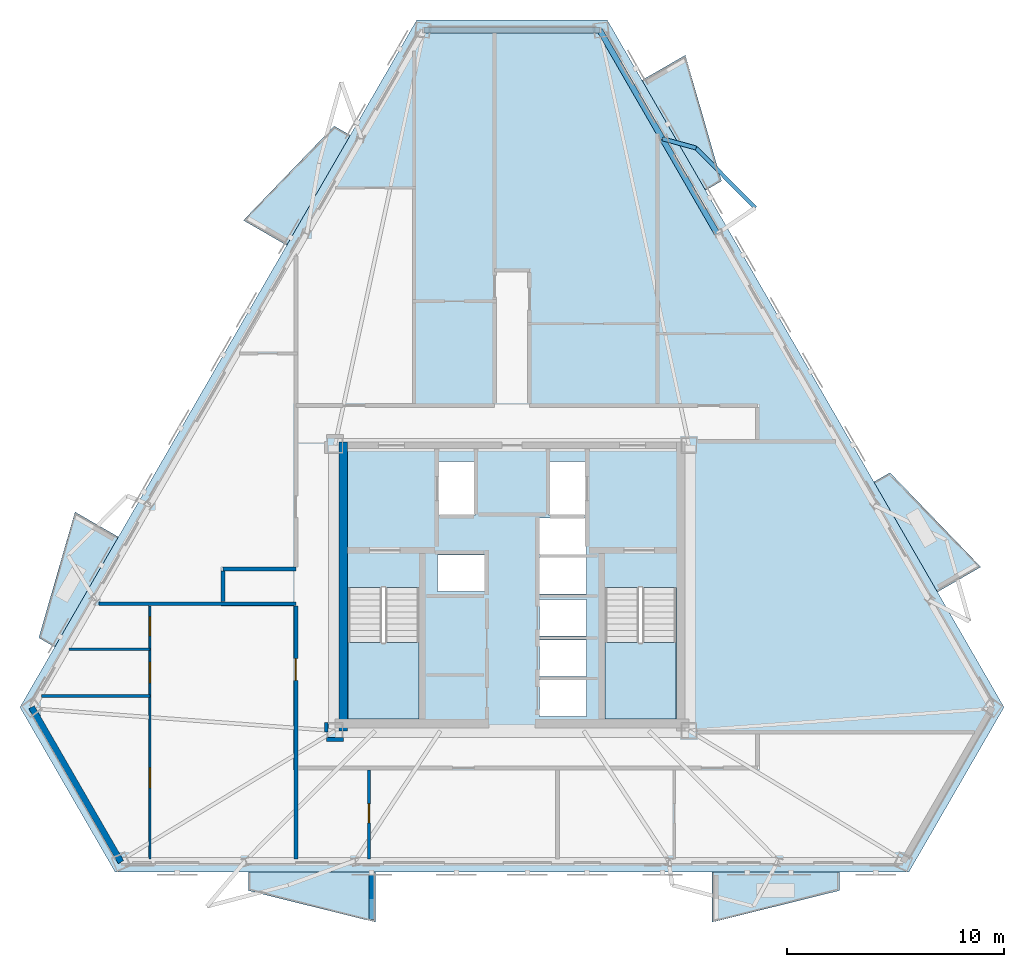
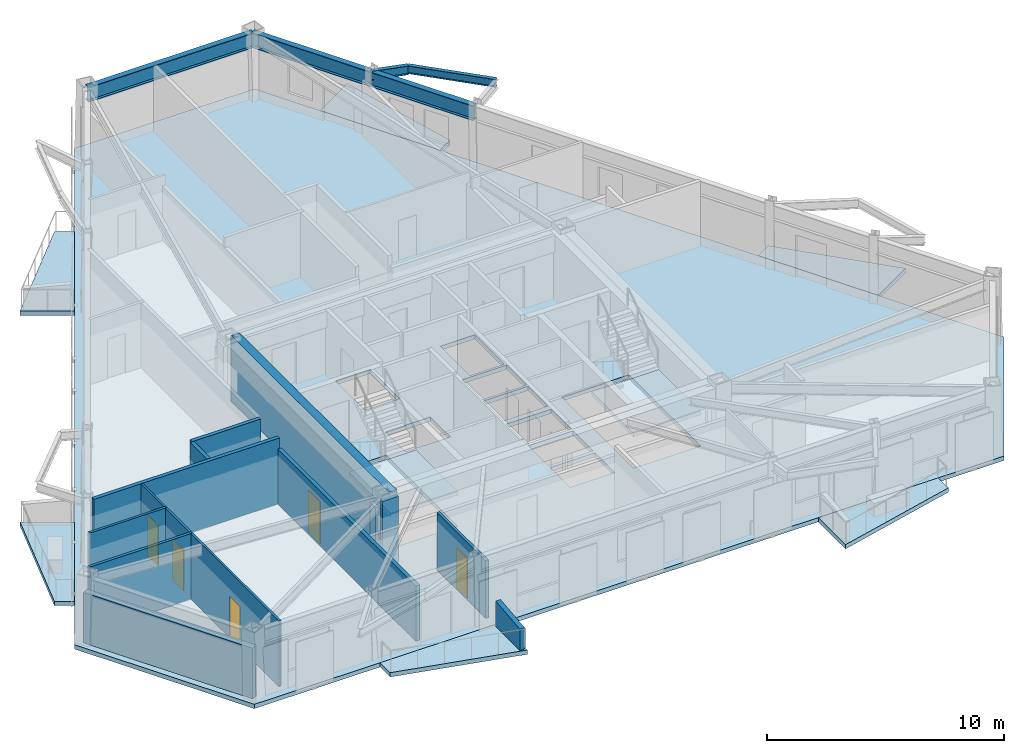
# One storey, part 2 of 9: 13 walls, 9 slabs, 5 beams, 5 doors, 5 openings, 2 elements without a shape of their own.
"""IFC4 building model written with IfcOpenShell, lengths in metres."""

from ifc_helpers import new_model, si_unit, direction, frame, frame_2d, origin, origin_2d, place, context, subcontext, project, spatial, polyline, rectangle, i_section, outline, extrude, material, layer, layer_set, material_profile, profile_set, type_object, element, fill, aggregate, save


model = new_model("IFC4")

# Units and contexts
model_context = context("Model", 3, precision=1e-05, world=origin(), true_north=direction((0.0, 1.0)))
body_context = subcontext(model_context, "Body", "Model", "MODEL_VIEW")
ifc_project = project(units=[si_unit("LENGTHUNIT", "METRE"), si_unit("AREAUNIT", "SQUARE_METRE"), si_unit("VOLUMEUNIT", "CUBIC_METRE"), si_unit("PLANEANGLEUNIT", "RADIAN"), si_unit("MASSUNIT", "GRAM", prefix="KILO")], contexts=[model_context])

# Site, building, storey
site_placement = place(None, origin())
site = spatial("IfcSite", under=ifc_project, at=site_placement, CompositionType="ELEMENT")
building_placement = place(site_placement, origin())
building = spatial("IfcBuilding", under=site, at=building_placement, Name="Oramaril Tower", CompositionType="ELEMENT")
storey_placement = place(building_placement, frame((0.0, 0.0, 178.199951171875)))
storey = spatial("IfcBuildingStorey", under=building, at=storey_placement, Name="L47", CompositionType="ELEMENT", Elevation=178.199951171875)

# Beams
ifc_material_1 = material(Name="Steel ASTM A572 Gr 50", Category="steel")
ifc_material_profile_1 = material_profile(ifc_material_1, i_section(OverallWidth=0.19091796875, OverallDepth=0.45703125, WebThickness=0.009033203125, FlangeThickness=0.014404296875, at=origin_2d()), Name="W18X50")
ifc_profile_set_1 = profile_set([ifc_material_profile_1], Name="Steel ASTM A572 Gr 50")
beam_type_1 = type_object("IfcBeamType", Name="BT-BB1", PredefinedType="BEAM", material=ifc_profile_set_1)
beam_1_placement = place(storey_placement, frame((44.4228515625, 38.25146484375, 3.151611328125), z_axis=(0.964112083488, -0.265495556408, 0.0), x_axis=(0.265495556408, 0.964112083488, 0.0)))
element("IfcBeam", 1, at=beam_1_placement, inside=storey, type_object=beam_type_1, Name="L47 Balcony Column-Framed Cantilever 04.2", PredefinedType="BEAM", context=body_context, shape_type="SweptSolid", body=[
    extrude(i_section(OverallWidth=0.19091796875, OverallDepth=0.45703125, WebThickness=0.009033203125, FlangeThickness=0.014404296875, at=origin_2d()), origin(), (0.0, 0.0, 1.0), 1.6064453125),
])
ifc_material_2 = material(Name="Steel ASTM A572 Gr 50", Category="steel")
ifc_material_profile_2 = material_profile(ifc_material_2, i_section(OverallWidth=0.177978515625, OverallDepth=0.404052734375, WebThickness=0.007568359375, FlangeThickness=0.010986328125, at=origin_2d()), Name="W16X36")
ifc_profile_set_2 = profile_set([ifc_material_profile_2], Name="Steel ASTM A572 Gr 50")
beam_type_2 = type_object("IfcBeamType", Name="BT-SB1", PredefinedType="BEAM", material=ifc_profile_set_2)
beam_2_placement = place(storey_placement, frame((48.6923828125, 35.072509765625, 3.177978515625), z_axis=(-0.702994511648, 0.71119527318, 0.0), x_axis=(-0.71119527318, -0.702994511648, 0.0)))
element("IfcBeam", 2, at=beam_2_placement, inside=storey, type_object=beam_type_2, Name="L47 Balcony Edge Tie Beam 04", PredefinedType="BEAM", context=body_context, shape_type="SweptSolid", body=[
    extrude(i_section(OverallWidth=0.177978515625, OverallDepth=0.404052734375, WebThickness=0.007568359375, FlangeThickness=0.010986328125, at=origin_2d()), origin(), (0.0, 0.0, 1.0), 3.8701171875),
])
ifc_material_3 = material(Name="Steel ASTM A572 Gr 50", Category="steel")
ifc_material_profile_3 = material_profile(ifc_material_3, i_section(OverallWidth=0.26708984375, OverallDepth=0.77001953125, WebThickness=0.015625, FlangeThickness=0.025390625, at=origin_2d()), Name="W30X132")
ifc_profile_set_3 = profile_set([ifc_material_profile_3], Name="Steel ASTM A572 Gr 50")
beam_type_3 = type_object("IfcBeamType", Name="BT-SP3", PredefinedType="SPANDREL", material=ifc_profile_set_3)
beam_3_placement = place(storey_placement, frame((46.946533203125, 33.880126953125, 2.9951171875), z_axis=(-0.499983437268, 0.866034966071, 0.0), x_axis=(-0.866034966071, -0.499983437268, 0.0)))
element("IfcBeam", 3, at=beam_3_placement, inside=storey, type_object=beam_type_3, Name="L47 Perimeter Spandrel 11", PredefinedType="SPANDREL", context=body_context, shape_type="SweptSolid", body=[
    extrude(i_section(OverallWidth=0.26708984375, OverallDepth=0.77001953125, WebThickness=0.015625, FlangeThickness=0.025390625, at=origin_2d()), origin(), (0.0, 0.0, 1.0), 5.047607421875),
])
beam_4_placement = place(storey_placement, frame((44.4228515625, 38.25146484375, 2.9951171875), z_axis=(-0.499989888488, 0.86603124159, 0.0), x_axis=(-0.86603124159, -0.499989888488, 0.0)))
element("IfcBeam", 4, at=beam_4_placement, inside=storey, type_object=beam_type_3, Name="L47 Perimeter Spandrel 12", PredefinedType="SPANDREL", context=body_context, shape_type="SweptSolid", body=[
    extrude(i_section(OverallWidth=0.26708984375, OverallDepth=0.77001953125, WebThickness=0.015625, FlangeThickness=0.025390625, at=origin_2d()), origin(), (0.0, 0.0, 1.0), 5.7685546875),
])
beam_5_placement = place(storey_placement, frame((41.53857421875, 43.247314453125, 2.9951171875), z_axis=(-1.0, 0.0, 0.0), x_axis=(0.0, -1.0, 0.0)))
element("IfcBeam", 5, at=beam_5_placement, inside=storey, type_object=beam_type_3, Name="L47 Perimeter Spandrel 13", PredefinedType="SPANDREL", context=body_context, shape_type="SweptSolid", body=[
    extrude(i_section(OverallWidth=0.26708984375, OverallDepth=0.77001953125, WebThickness=0.015625, FlangeThickness=0.025390625, at=origin_2d()), origin(), (0.0, 0.0, 1.0), 8.0771484375),
])

# Slabs
ifc_material_4 = material(Name="Concrete C40/50", Category="concrete")
ifc_layer_1 = layer(ifc_material_4, 0.199951171875)
ifc_layer_set_1 = layer_set([ifc_layer_1], Name="SLT-BAL20")
slab_type_1 = type_object("IfcSlabType", Name="SLT-BAL20", PredefinedType="FLOOR", material=ifc_layer_set_1)
slab_1_placement = place(storey_placement, frame((0.0, 0.0, -0.219970703125)))
element("IfcSlab", 6, at=slab_1_placement, inside=storey, type_object=slab_type_1, Name="L47 Cantilevered Balcony Slab L47-BAL-S1", PredefinedType="FLOOR", context=body_context, shape_type="SweptSolid", body=[
    extrude(outline(polyline([(25.36328125, 4.498779296875), (31.21337890625, 4.498779296875), (31.21337890625, 2.19677734375), (25.36328125, 3.646728515625), (25.36328125, 4.498779296875)])), origin(), (0.0, 0.0, 1.0), 0.219970703125),
])
slab_2_placement = place(storey_placement, frame((0.0, 0.0, -0.219970703125)))
element("IfcSlab", 7, at=slab_2_placement, inside=storey, type_object=slab_type_1, Name="L47 Cantilevered Balcony Slab L47-BAL-NE2", PredefinedType="FLOOR", context=body_context, shape_type="SweptSolid", body=[
    extrude(outline(polyline([(46.4052734375, 35.878173828125), (43.480224609375, 40.9443359375), (45.473876953125, 42.09521484375), (47.14306640625, 36.30419921875), (46.4052734375, 35.878173828125)])), origin(), (0.0, 0.0, 1.0), 0.219970703125),
])
slab_3_placement = place(storey_placement, frame((0.0, 0.0, -0.219970703125)))
element("IfcSlab", 8, at=slab_3_placement, inside=storey, type_object=slab_type_1, Name="L47 Cantilevered Balcony Slab L47-BAL-NW1", PredefinedType="FLOOR", context=body_context, shape_type="SweptSolid", body=[
    extrude(outline(polyline([(30.05712890625, 38.4111328125), (27.132080078125, 33.344970703125), (25.138671875, 34.495849609375), (29.3193359375, 38.837158203125), (30.05712890625, 38.4111328125)])), origin(), (0.0, 0.0, 1.0), 0.219970703125),
])
ifc_material_5 = material(Name="Concrete C50/60", Category="concrete")
ifc_layer_2 = layer(ifc_material_5, 0.219970703125)
ifc_layer_set_2 = layer_set([ifc_layer_2], Name="SLT-FLR22")
slab_type_2 = type_object("IfcSlabType", Name="SLT-FLR22", PredefinedType="FLOOR", material=ifc_layer_set_2)
slab_4_placement = place(storey_placement, frame((0.0, 0.0, -0.219970703125)))
element("IfcSlab", 9, at=slab_4_placement, inside=storey, type_object=slab_type_2, Name="L47 Structural Floor Slab", PredefinedType="FLOOR", context=body_context, shape_type="SweptSolid", body=[
    extrude(outline(polyline([(14.8564453125, 12.086669921875), (19.23828125, 4.496826171875), (55.76171875, 4.496826171875), (60.1435546875, 12.086669921875), (41.882080078125, 43.716552734375), (33.117919921875, 43.716552734375), (14.8564453125, 12.086669921875)]), holes=[polyline([(29.949951171875, 17.58935546875), (29.949951171875, 11.550048828125), (33.219970703125, 11.550048828125), (33.219970703125, 17.58935546875), (29.949951171875, 17.58935546875)]), polyline([(41.780029296875, 17.58935546875), (41.780029296875, 11.550048828125), (45.050048828125, 11.550048828125), (45.050048828125, 17.58935546875), (41.780029296875, 17.58935546875)]), polyline([(34.110107421875, 20.909912109375), (35.7900390625, 20.909912109375), (35.7900390625, 23.389892578125), (34.110107421875, 23.389892578125), (34.110107421875, 20.909912109375)]), polyline([(39.2099609375, 20.909912109375), (40.889892578125, 20.909912109375), (40.889892578125, 23.389892578125), (39.2099609375, 23.389892578125), (39.2099609375, 20.909912109375)]), polyline([(38.760009765625, 11.659912109375), (40.93994140625, 11.659912109375), (40.93994140625, 13.340087890625), (38.760009765625, 13.340087890625), (38.760009765625, 11.659912109375)]), polyline([(38.760009765625, 13.510009765625), (40.93994140625, 13.510009765625), (40.93994140625, 15.18994140625), (38.760009765625, 15.18994140625), (38.760009765625, 13.510009765625)]), polyline([(38.760009765625, 15.360107421875), (40.93994140625, 15.360107421875), (40.93994140625, 17.0400390625), (38.760009765625, 17.0400390625), (38.760009765625, 15.360107421875)]), polyline([(34.06005859375, 17.409912109375), (36.239990234375, 17.409912109375), (36.239990234375, 19.090087890625), (34.06005859375, 19.090087890625), (34.06005859375, 17.409912109375)]), polyline([(38.760009765625, 17.31005859375), (40.93994140625, 17.31005859375), (40.93994140625, 18.989990234375), (38.760009765625, 18.989990234375), (38.760009765625, 17.31005859375)]), polyline([(38.760009765625, 19.110107421875), (40.93994140625, 19.110107421875), (40.93994140625, 20.7900390625), (38.760009765625, 20.7900390625), (38.760009765625, 19.110107421875)])]), origin(), (0.0, 0.0, 1.0), 0.219970703125),
])

# Stair, slab
ifc_material_6 = material(Name="Concrete C50/60", Category="concrete")
stair_type = type_object("IfcStairType", Name="STT-DG-3600", PredefinedType="HALF_TURN_STAIR", material=ifc_material_6)
stair_1_placement = place(storey_placement, origin())
stair_1 = element("IfcStair", 10, at=stair_1_placement, inside=storey, type_object=stair_type, Name="L47 Protected PFP Exit Stair ST-1", PredefinedType="HALF_TURN_STAIR")
ifc_material_7 = material(Name="Concrete C50/60", Category="concrete")
ifc_layer_3 = layer(ifc_material_7, 0.199951171875)
ifc_layer_set_3 = layer_set([ifc_layer_3], Name="SLT-LND20")
slab_type_3 = type_object("IfcSlabType", Name="SLT-LND20", PredefinedType="LANDING", material=ifc_layer_set_3)
slab_5_placement = place(storey_placement, frame((0.0, 0.0, 1.60009765625)))
slab_5 = element("IfcSlab", 11, at=slab_5_placement, type_object=slab_type_3, Name="ST-1 landing 1", PredefinedType="LANDING", context=body_context, shape_type="SweptSolid", body=[
    extrude(outline(polyline([(29.949951171875, 15.070068359375), (29.949951171875, 11.550048828125), (33.219970703125, 11.550048828125), (33.219970703125, 15.070068359375), (29.949951171875, 15.070068359375)])), origin(), (0.0, 0.0, 1.0), 0.199951171875),
])
aggregate(stair_1, [slab_5])

stair_2_placement = place(storey_placement, origin())
stair_2 = element("IfcStair", 12, at=stair_2_placement, inside=storey, type_object=stair_type, Name="L47 Protected PFP Exit Stair ST-2", PredefinedType="HALF_TURN_STAIR")
slab_6_placement = place(storey_placement, frame((0.0, 0.0, 1.60009765625)))
slab_6 = element("IfcSlab", 13, at=slab_6_placement, type_object=slab_type_3, Name="ST-2 landing 1", PredefinedType="LANDING", context=body_context, shape_type="SweptSolid", body=[
    extrude(outline(polyline([(41.780029296875, 15.070068359375), (41.780029296875, 11.550048828125), (45.050048828125, 11.550048828125), (45.050048828125, 15.070068359375), (41.780029296875, 15.070068359375)])), origin(), (0.0, 0.0, 1.0), 0.199951171875),
])
aggregate(stair_2, [slab_6])

# Slabs
ifc_material_8 = material(Name="Concrete C40/50", Category="concrete")
ifc_layer_4 = layer(ifc_material_8, 0.18994140625)
ifc_layer_set_4 = layer_set([ifc_layer_4], Name="SLT-PLN19")
slab_type_4 = type_object("IfcSlabType", Name="SLT-PLN19", PredefinedType="FLOOR", material=ifc_layer_set_4)
slab_7_placement = place(storey_placement, frame((0.0, 0.0, -0.219970703125)))
element("IfcSlab", 14, at=slab_7_placement, inside=storey, type_object=slab_type_4, Name="L47 Tree Planter Balcony Slab L47-BAL-S2", PredefinedType="FLOOR", context=body_context, shape_type="SweptSolid", body=[
    extrude(outline(polyline([(46.711669921875, 4.498779296875), (52.5615234375, 4.498779296875), (52.5615234375, 3.646728515625), (46.711669921875, 2.19677734375), (46.711669921875, 4.498779296875)])), origin(), (0.0, 0.0, 1.0), 0.219970703125),
])
slab_8_placement = place(storey_placement, frame((0.0, 0.0, -0.219970703125)))
element("IfcSlab", 15, at=slab_8_placement, inside=storey, type_object=slab_type_4, Name="L47 Tree Planter Balcony Slab L47-BAL-NE1", PredefinedType="FLOOR", context=body_context, shape_type="SweptSolid", body=[
    extrude(outline(polyline([(57.079345703125, 17.389892578125), (54.154296875, 22.456298828125), (54.89208984375, 22.88232421875), (59.072998046875, 18.541015625), (57.079345703125, 17.389892578125)])), origin(), (0.0, 0.0, 1.0), 0.219970703125),
])
slab_9_placement = place(storey_placement, frame((0.0, 0.0, -0.219970703125)))
element("IfcSlab", 16, at=slab_9_placement, inside=storey, type_object=slab_type_4, Name="L47 Tree Planter Balcony Slab L47-BAL-NW2", PredefinedType="FLOOR", context=body_context, shape_type="SweptSolid", body=[
    extrude(outline(polyline([(19.383056640625, 19.923095703125), (16.4580078125, 14.85693359375), (15.72021484375, 15.282958984375), (17.389404296875, 21.07421875), (19.383056640625, 19.923095703125)])), origin(), (0.0, 0.0, 1.0), 0.219970703125),
])

# Walls
ifc_material_9 = material(Name="Warm Cream Limestone", Category="masonry")
ifc_layer_5 = layer(ifc_material_9, 0.2900390625)
ifc_layer_set_5 = layer_set([ifc_layer_5], Name="WT-EXT29")
wall_type_1 = type_object("IfcWallType", Name="WT-EXT29", PredefinedType="SOLIDWALL", material=ifc_layer_set_5)
wall_1_placement = place(storey_placement, frame((15.3876953125, 12.086669921875, 0.0), z_axis=(0.0, 0.0, 1.0), x_axis=(0.499979154163, -0.8660374388, 0.0)))
element("IfcWall", 17, at=wall_1_placement, inside=storey, type_object=wall_type_1, Name="L47 Tower Limestone Facade Wall 1M", PredefinedType="SOLIDWALL", context=body_context, shape_type="SweptSolid", body=[
    extrude(rectangle(XDim=8.232666015625, YDim=0.2900390625, at=frame_2d((4.1162109375, 0.0))), origin(), (0.0, 0.0, 1.0), 2.60009765625),
])
ifc_material_10 = material(Name="Concrete C40/50", Category="concrete")
ifc_layer_6 = layer(ifc_material_10, 0.22998046875)
ifc_layer_set_6 = layer_set([ifc_layer_6], Name="WT-PRP23")
wall_type_2 = type_object("IfcWallType", Name="WT-PRP23", PredefinedType="PARAPET", material=ifc_layer_set_6)
wall_2_placement = place(storey_placement, frame((31.033447265625, 4.35888671875, 0.0), z_axis=(0.0, 0.0, 1.0), x_axis=(0.0, -1.0, 0.0)))
element("IfcWall", 18, at=wall_2_placement, inside=storey, type_object=wall_type_2, Name="L47 Trapezoidal Balcony Frame Cheek L47-BAL-S1-R", PredefinedType="PARAPET", context=body_context, shape_type="SweptSolid", body=[
    extrude(outline(polyline([(0.0, 0.0), (2.0419921875, 0.0), (2.0419921875, 1.10009765625), (0.0, 1.320068359375), (0.0, 0.0)])), frame((0.0, 0.114990234375, 0.0), z_axis=(0.0, -1.0, 0.0), x_axis=(1.0, 0.0, 0.0)), (0.0, 0.0, 1.0), 0.22998046875),
])

# Wall, openings, doors
ifc_material_11 = material(Name="Acoustic Gypsum Board Partition")
ifc_layer_7 = layer(ifc_material_11, 0.10009765625)
ifc_layer_set_7 = layer_set([ifc_layer_7], Name="WT-PT10")
wall_type_3 = type_object("IfcWallType", Name="WT-PT10", PredefinedType="PARTITIONING", material=ifc_layer_set_7)
wall_3_placement = place(storey_placement, frame((20.840087890625, 5.105712890625, 0.0), z_axis=(0.0, 0.0, 1.0), x_axis=(0.0, 1.0, 0.0)))
wall_3 = element("IfcWall", 19, at=wall_3_placement, inside=storey, type_object=wall_type_3, Name="L47 Interior Partition PT-10", PredefinedType="PARTITIONING", context=body_context, shape_type="SweptSolid", body=[
    extrude(rectangle(XDim=11.650390625, YDim=0.10009765625, at=frame_2d((5.8251953125, 0.0))), origin(), (0.0, 0.0, 1.0), 3.380126953125),
])
opening_1_placement = place(wall_3_placement, frame((3.2724609375, 0.0, 0.0)))
opening_1 = element("IfcOpeningElement", 20, at=opening_1_placement, cuts=wall_3, Name="Opening D-L47-10", PredefinedType="OPENING", context=body_context, shape_type="SweptSolid", body=[
    extrude(rectangle(XDim=0.919921875, YDim=2.1201171875, at=frame_2d((0.4599609375, 1.06005859375))), frame((0.0, 0.050048828125, 0.0), z_axis=(0.0, -1.0, 0.0), x_axis=(1.0, 0.0, 0.0)), (0.0, 0.0, 1.0), 0.10009765625),
])
opening_2_placement = place(wall_3_placement, frame((8.099609375, 0.0, 0.0)))
opening_2 = element("IfcOpeningElement", 21, at=opening_2_placement, cuts=wall_3, Name="Opening D-L47-11", PredefinedType="OPENING", context=body_context, shape_type="SweptSolid", body=[
    extrude(rectangle(XDim=0.949951171875, YDim=2.10009765625, at=frame_2d((0.47509765625, 1.050048828125))), frame((0.0, 0.050048828125, 0.0), z_axis=(0.0, -1.0, 0.0), x_axis=(1.0, 0.0, 0.0)), (0.0, 0.0, 1.0), 0.10009765625),
])
opening_3_placement = place(wall_3_placement, frame((10.27490234375, 0.0, 0.0)))
opening_3 = element("IfcOpeningElement", 22, at=opening_3_placement, cuts=wall_3, Name="Opening D-L47-12", PredefinedType="OPENING", context=body_context, shape_type="SweptSolid", body=[
    extrude(rectangle(XDim=0.8798828125, YDim=2.080078125, at=frame_2d((0.43994140625, 1.0400390625))), frame((0.0, 0.050048828125, 0.0), z_axis=(0.0, -1.0, 0.0), x_axis=(1.0, 0.0, 0.0)), (0.0, 0.0, 1.0), 0.10009765625),
])
ifc_material_12 = material(Name="FSC Brazilian Freijo Hardwood", Category="wood")
door_type_1 = type_object("IfcDoorType", Name="DT-BATH", OperationType="NOTDEFINED", PredefinedType="DOOR", material=ifc_material_12)
door_1_placement = place(opening_3_placement, origin())
door_1 = element("IfcDoor", 23, at=door_1_placement, inside=storey, type_object=door_type_1, Name="L47 Flat L47-U3 Bathroom Door D-L47-12", OperationType="SINGLE_SWING_LEFT", OverallHeight=2.080078125, OverallWidth=0.8798828125, PredefinedType="DOOR", context=body_context, shape_type="SweptSolid", body=[
    extrude(rectangle(XDim=0.8798828125, YDim=2.080078125, at=frame_2d((0.43994140625, 1.0400390625))), frame((0.0, 0.02490234375, 0.0), z_axis=(0.0, -1.0, 0.0), x_axis=(1.0, 0.0, 0.0)), (0.0, 0.0, 1.0), 0.050048828125),
])
fill(opening_3, door_1)
ifc_material_13 = material(Name="FSC Brazilian Freijo Hardwood", Category="wood")
door_type_2 = type_object("IfcDoorType", Name="DT-BED", OperationType="NOTDEFINED", PredefinedType="DOOR", material=ifc_material_13)
door_2_placement = place(opening_1_placement, origin())
door_2 = element("IfcDoor", 24, at=door_2_placement, inside=storey, type_object=door_type_2, Name="L47 Flat L47-U3 Master Bedroom Door D-L47-10", OperationType="SINGLE_SWING_LEFT", OverallHeight=2.1201171875, OverallWidth=0.919921875, PredefinedType="DOOR", context=body_context, shape_type="SweptSolid", body=[
    extrude(rectangle(XDim=0.919921875, YDim=2.1201171875, at=frame_2d((0.4599609375, 1.06005859375))), frame((0.0, 0.02490234375, 0.0), z_axis=(0.0, -1.0, 0.0), x_axis=(1.0, 0.0, 0.0)), (0.0, 0.0, 1.0), 0.050048828125),
])
fill(opening_1, door_2)
ifc_material_14 = material(Name="FSC Brazilian Freijo Hardwood", Category="wood")
door_type_3 = type_object("IfcDoorType", Name="DT-STDY", OperationType="NOTDEFINED", PredefinedType="DOOR", material=ifc_material_14)
door_3_placement = place(opening_2_placement, origin())
door_3 = element("IfcDoor", 25, at=door_3_placement, inside=storey, type_object=door_type_3, Name="L47 Flat L47-U3 Kitchen Door D-L47-11", OperationType="SINGLE_SWING_RIGHT", OverallHeight=2.10009765625, OverallWidth=0.949951171875, PredefinedType="DOOR", context=body_context, shape_type="SweptSolid", body=[
    extrude(rectangle(XDim=0.949951171875, YDim=2.10009765625, at=frame_2d((0.47509765625, 1.050048828125))), frame((0.0, 0.02490234375, 0.0), z_axis=(0.0, -1.0, 0.0), x_axis=(1.0, 0.0, 0.0)), (0.0, 0.0, 1.0), 0.050048828125),
])
fill(opening_2, door_3)

# Walls
ifc_material_15 = material(Name="Acoustic Gypsum Board Partition")
ifc_layer_8 = layer(ifc_material_15, 0.1201171875)
ifc_layer_set_8 = layer_set([ifc_layer_8], Name="WT-PT12")
wall_type_4 = type_object("IfcWallType", Name="WT-PT12", PredefinedType="PARTITIONING", material=ifc_layer_set_8)
wall_4_placement = place(storey_placement, frame((17.10302734375, 14.760009765625, 0.0), z_axis=(0.0, 0.0, 1.0), x_axis=(1.0, 0.0, 0.0)))
element("IfcWall", 26, at=wall_4_placement, inside=storey, type_object=wall_type_4, Name="L47 Interior Partition PT-12", PredefinedType="PARTITIONING", context=body_context, shape_type="SweptSolid", body=[
    extrude(rectangle(XDim=3.73291015625, YDim=0.1201171875, at=frame_2d((1.866455078125, 0.0))), origin(), (0.0, 0.0, 1.0), 3.380126953125),
])
ifc_material_16 = material(Name="Acoustic Gypsum Board Partition")
ifc_layer_9 = layer(ifc_material_16, 0.139892578125)
ifc_layer_set_9 = layer_set([ifc_layer_9], Name="WT-PT14")
wall_type_5 = type_object("IfcWallType", Name="WT-PT14", PredefinedType="PARTITIONING", material=ifc_layer_set_9)
wall_5_placement = place(storey_placement, frame((15.856201171875, 12.60009765625, 0.0), z_axis=(0.0, 0.0, 1.0), x_axis=(1.0, 0.0, 0.0)))
element("IfcWall", 27, at=wall_5_placement, inside=storey, type_object=wall_type_5, Name="L47 Interior Partition PT-14", PredefinedType="PARTITIONING", context=body_context, shape_type="SweptSolid", body=[
    extrude(rectangle(XDim=4.979736328125, YDim=0.139892578125, at=frame_2d((2.48974609375, 0.0))), origin(), (0.0, 0.0, 1.0), 3.380126953125),
])

# Wall, opening, door
wall_6_placement = place(storey_placement, frame((30.919921875, 5.105712890625, 0.0), z_axis=(0.0, 0.0, 1.0), x_axis=(0.0, 1.0, 0.0)))
wall_6 = element("IfcWall", 28, at=wall_6_placement, inside=storey, type_object=wall_type_5, Name="L47 Interior Partition PT-14", PredefinedType="PARTITIONING", context=body_context, shape_type="SweptSolid", body=[
    extrude(rectangle(XDim=4.100341796875, YDim=0.139892578125, at=frame_2d((2.05029296875, 0.0))), origin(), (0.0, 0.0, 1.0), 2.966064453125),
])
opening_4_placement = place(wall_6_placement, frame((1.65771484375, 0.0, 0.0)))
opening_4 = element("IfcOpeningElement", 29, at=opening_4_placement, cuts=wall_6, Name="Opening D-L47-15", PredefinedType="OPENING", context=body_context, shape_type="SweptSolid", body=[
    extrude(rectangle(XDim=0.8798828125, YDim=2.080078125, at=frame_2d((0.43994140625, 1.0400390625))), frame((0.0, 0.06982421875, 0.0), z_axis=(0.0, -1.0, 0.0), x_axis=(1.0, 0.0, 0.0)), (0.0, 0.0, 1.0), 0.139892578125),
])
door_4_placement = place(opening_4_placement, origin())
door_4 = element("IfcDoor", 30, at=door_4_placement, inside=storey, type_object=door_type_1, Name="L47 Flat L47-U1 Bathroom Door D-L47-15", OperationType="SINGLE_SWING_RIGHT", OverallHeight=2.080078125, OverallWidth=0.8798828125, PredefinedType="DOOR", context=body_context, shape_type="SweptSolid", body=[
    extrude(rectangle(XDim=0.8798828125, YDim=2.080078125, at=frame_2d((0.43994140625, 1.0400390625))), frame((0.0, 0.02490234375, 0.0), z_axis=(0.0, -1.0, 0.0), x_axis=(1.0, 0.0, 0.0)), (0.0, 0.0, 1.0), 0.050048828125),
])
fill(opening_4, door_4)

# Walls
ifc_material_17 = material(Name="Autoclaved Cellular Concrete Block", Category="concrete")
ifc_layer_10 = layer(ifc_material_17, 0.179931640625)
ifc_layer_set_10 = layer_set([ifc_layer_10], Name="WT-PT18")
wall_type_6 = type_object("IfcWallType", Name="WT-PT18", PredefinedType="PARTITIONING", material=ifc_layer_set_10)
wall_7_placement = place(storey_placement, frame((28.9599609375, 10.610107421875, 0.0), z_axis=(0.0, 0.0, 1.0), x_axis=(1.0, 0.0, 0.0)))
element("IfcWall", 31, at=wall_7_placement, inside=storey, type_object=wall_type_6, Name="L47 Interior Partition PT-18", PredefinedType="PARTITIONING", context=body_context, shape_type="SweptSolid", body=[
    extrude(rectangle(XDim=0.780029296875, YDim=0.179931640625, at=frame_2d((0.39013671875, 0.0))), origin(), (0.0, 0.0, 1.0), 3.380126953125),
])
wall_8_placement = place(storey_placement, frame((18.5009765625, 16.85009765625, 0.0), z_axis=(0.0, 0.0, 1.0), x_axis=(1.0, 0.0, 0.0)))
element("IfcWall", 32, at=wall_8_placement, inside=storey, type_object=wall_type_6, Name="L47 Interior Partition PT-18", PredefinedType="PARTITIONING", context=body_context, shape_type="SweptSolid", body=[
    extrude(rectangle(XDim=9.049072265625, YDim=0.179931640625, at=frame_2d((4.5244140625, 0.0))), origin(), (0.0, 0.0, 1.0), 3.380126953125),
])
wall_9_placement = place(storey_placement, frame((24.199951171875, 18.449951171875, 0.0), z_axis=(0.0, 0.0, 1.0), x_axis=(1.0, 0.0, 0.0)))
element("IfcWall", 33, at=wall_9_placement, inside=storey, type_object=wall_type_6, Name="L47 Interior Partition PT-18", PredefinedType="PARTITIONING", context=body_context, shape_type="SweptSolid", body=[
    extrude(rectangle(XDim=3.35009765625, YDim=0.179931640625, at=frame_2d((1.675048828125, 0.0))), origin(), (0.0, 0.0, 1.0), 3.380126953125),
])
wall_10_placement = place(storey_placement, frame((24.199951171875, 16.944091796875, 0.0), z_axis=(0.0, 0.0, 1.0), x_axis=(0.0, 1.0, 0.0)))
element("IfcWall", 34, at=wall_10_placement, inside=storey, type_object=wall_type_6, Name="L47 Interior Partition PT-18", PredefinedType="PARTITIONING", context=body_context, shape_type="SweptSolid", body=[
    extrude(rectangle(XDim=1.411865234375, YDim=0.179931640625, at=frame_2d((0.7060546875, 0.0))), origin(), (0.0, 0.0, 1.0), 3.380126953125),
])

# Wall, opening, door
wall_11_placement = place(storey_placement, frame((27.550048828125, 5.105712890625, 0.0), z_axis=(0.0, 0.0, 1.0), x_axis=(0.0, 1.0, 0.0)))
wall_11 = element("IfcWall", 35, at=wall_11_placement, inside=storey, type_object=wall_type_6, Name="L47 Interior Partition PT-18", PredefinedType="PARTITIONING", context=body_context, shape_type="SweptSolid", body=[
    extrude(rectangle(XDim=11.650390625, YDim=0.179931640625, at=frame_2d((5.8251953125, 0.0))), origin(), (0.0, 0.0, 1.0), 2.842041015625),
])
opening_5_placement = place(wall_11_placement, frame((8.2197265625, 0.0, 0.0)))
opening_5 = element("IfcOpeningElement", 36, at=opening_5_placement, cuts=wall_11, Name="Opening D-L47-13", PredefinedType="OPENING", context=body_context, shape_type="SweptSolid", body=[
    extrude(rectangle(XDim=1.0, YDim=2.179931640625, at=frame_2d((0.5, 1.08984375))), frame((0.0, 0.08984375, 0.0), z_axis=(0.0, -1.0, 0.0), x_axis=(1.0, 0.0, 0.0)), (0.0, 0.0, 1.0), 0.179931640625),
])
ifc_material_18 = material(Name="FSC Brazilian Freijo Hardwood", Category="wood")
door_type_4 = type_object("IfcDoorType", Name="DT-APT", OperationType="NOTDEFINED", PredefinedType="DOOR", material=ifc_material_18)
door_5_placement = place(opening_5_placement, origin())
door_5 = element("IfcDoor", 37, at=door_5_placement, inside=storey, type_object=door_type_4, Name="L47 Flat L47-U3 Penthouse Living and Dining Room Door D-L47-13", OperationType="SINGLE_SWING_RIGHT", OverallHeight=2.179931640625, OverallWidth=1.0, PredefinedType="DOOR", context=body_context, shape_type="SweptSolid", body=[
    extrude(rectangle(XDim=1.0, YDim=2.179931640625, at=frame_2d((0.5, 1.08984375))), frame((0.0, 0.02490234375, 0.0), z_axis=(0.0, -1.0, 0.0), x_axis=(1.0, 0.0, 0.0)), (0.0, 0.0, 1.0), 0.050048828125),
])
fill(opening_5, door_5)

# Walls
wall_12_placement = place(storey_placement, frame((28.949951171875, 10.949951171875, 0.0), z_axis=(0.0, 0.0, 1.0), x_axis=(0.0, 1.0, 0.0)))
element("IfcWall", 38, at=wall_12_placement, inside=storey, type_object=wall_type_6, Name="L47 Interior Partition PT-18", PredefinedType="PARTITIONING", context=body_context, shape_type="SweptSolid", body=[
    extrude(rectangle(XDim=0.445068359375, YDim=0.179931640625, at=frame_2d((0.22265625, 0.0))), origin(), (0.0, 0.0, 1.0), 2.842041015625),
])
ifc_material_19 = material(Name="Concrete C50/60", Category="concrete")
ifc_layer_11 = layer(ifc_material_19, 0.39990234375)
ifc_layer_set_11 = layer_set([ifc_layer_11], Name="WT-SH40")
wall_type_7 = type_object("IfcWallType", Name="WT-SH40", PredefinedType="SHEAR", material=ifc_layer_set_11)
wall_13_placement = place(storey_placement, frame((29.739990234375, 11.0, 0.0), z_axis=(0.0, 0.0, 1.0), x_axis=(0.0, 1.0, 0.0)))
element("IfcWall", 39, at=wall_13_placement, inside=storey, type_object=wall_type_7, Name="L47 Core Shear Wall CW-W", PredefinedType="SHEAR", context=body_context, shape_type="SweptSolid", body=[
    extrude(rectangle(XDim=13.300048828125, YDim=0.39990234375, at=frame_2d((6.64990234375, 0.0))), origin(), (0.0, 0.0, 1.0), 3.380126953125),
])

save(model, "model.ifc")
